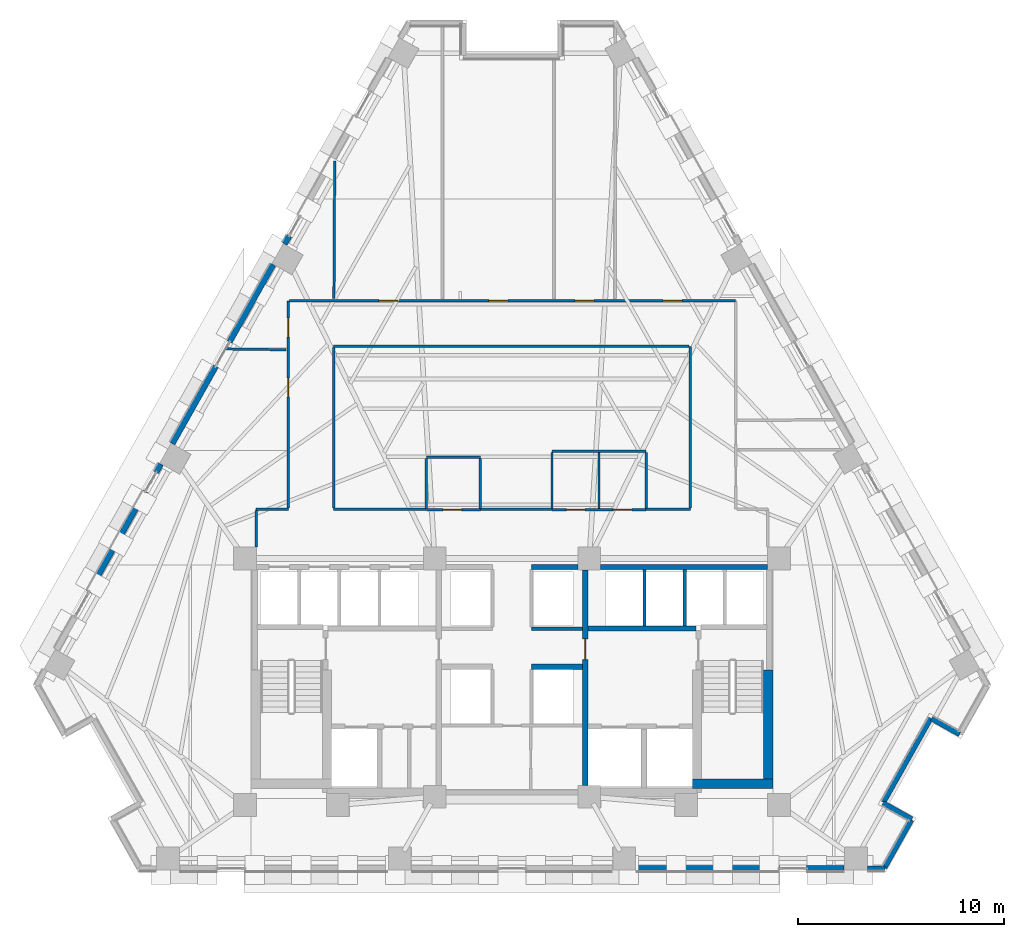
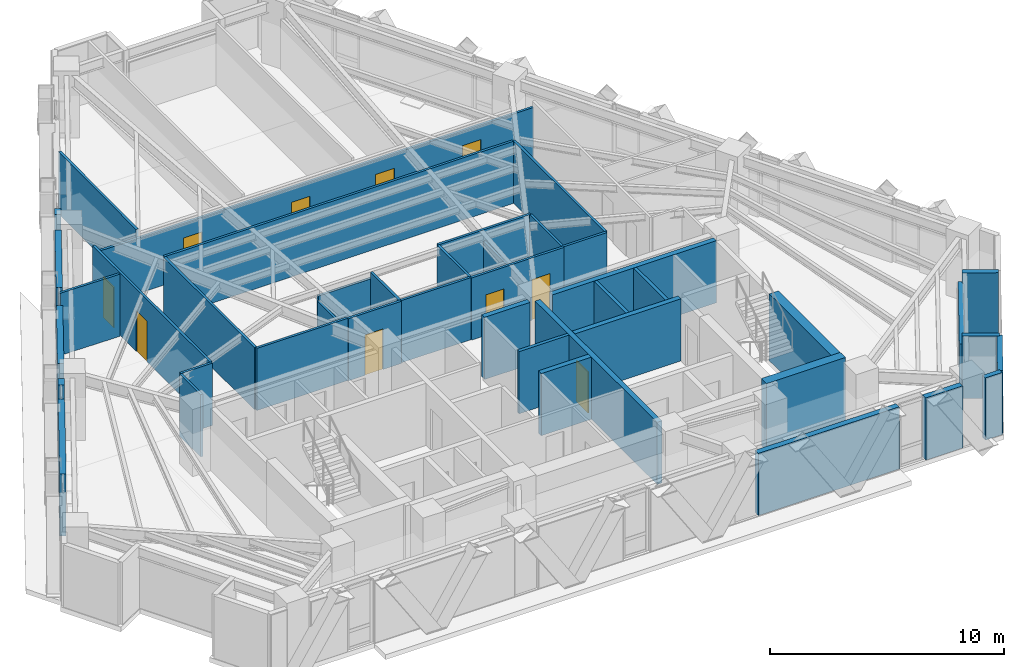
# One storey, part 8 of 13: 43 walls, 10 doors, 10 openings.
"""IFC4 building model written with IfcOpenShell, lengths in metres."""

import ifcopenshell
import ifcopenshell.guid

model = None  # the IFC model being written
_history = None  # IfcOwnerHistory: only IFC2X3 demands one
_inside = {}  # id of a spatial element -> (the spatial element, [elements in it])
_under = {}  # id of a project, library or spatial element -> (it, [spatial elements below it])
_declared = {}  # id of a project -> (the project, [libraries it declares])
_typed = {}  # id of a type object -> (the type object, [elements of that type])
_made_of = {}  # id of a material, layer set ... -> (it, [elements and type objects made of it])


def new_model(schema):
    """Start an empty IFC model of exactly this schema.

    Asked for "IFC4X3", IfcOpenShell would pick the latest addendum, in which some entities
    have other attributes; the version numbers below select the first issue.
    IFC2X3 requires an IfcOwnerHistory on every rooted entity: one is made here for all.
    """
    global model, _history
    if schema == "IFC4X3":
        model = ifcopenshell.file(schema_version=(4, 3, 0, 0))
    else:
        model = ifcopenshell.file(schema=schema)
    _inside.clear()
    _under.clear()
    _declared.clear()
    _typed.clear()
    _made_of.clear()
    _history = None
    if model.schema == "IFC2X3":
        org = make("IfcOrganization", Name="unknown")
        user = make(
            "IfcPersonAndOrganization",
            ThePerson=make("IfcPerson", FamilyName="unknown"),
            TheOrganization=org,
        )
        app = make(
            "IfcApplication",
            ApplicationDeveloper=org,
            Version="unknown",
            ApplicationFullName="unknown",
            ApplicationIdentifier="unknown",
        )
        _history = make(
            "IfcOwnerHistory",
            OwningUser=user,
            OwningApplication=app,
            ChangeAction="ADDED",
            CreationDate=0,
        )
    return model


def make(cls, **values):
    """One entity of the class cls with the attributes given. An attribute that is None is left unset."""
    return model.create_entity(
        cls, **{name: value for name, value in values.items() if value is not None}
    )


def rooted(cls, **values):
    """An entity with a GlobalId (a new one), such as an element, a storey or a relation."""
    return make(cls, GlobalId=ifcopenshell.guid.new(), OwnerHistory=_history, **values)


def si_unit(unit_type, name, prefix=None):
    """IfcSIUnit, for example si_unit("LENGTHUNIT", "METRE", prefix="MILLI")."""
    return make("IfcSIUnit", UnitType=unit_type, Prefix=prefix, Name=name)


def assignment(units):
    """IfcUnitAssignment: the units of a project."""
    return None if units is None else make("IfcUnitAssignment", Units=units)


def point(xyz):
    """IfcCartesianPoint."""
    return None if xyz is None else make("IfcCartesianPoint", Coordinates=xyz)


def direction(xyz):
    """IfcDirection."""
    return None if xyz is None else make("IfcDirection", DirectionRatios=xyz)


def frame(location, z_axis=None, x_axis=None):
    """IfcAxis2Placement3D, a coordinate frame: its origin and axes. An axis left out is left unset."""
    return make(
        "IfcAxis2Placement3D",
        Location=point(location),
        Axis=direction(z_axis),
        RefDirection=direction(x_axis),
    )


def frame_2d(location, x_axis=None):
    """IfcAxis2Placement2D, a coordinate frame in the plane: its origin and x axis."""
    return make(
        "IfcAxis2Placement2D", Location=point(location), RefDirection=direction(x_axis)
    )


def origin():
    """The frame at (0, 0, 0) with its axes left unset."""
    return frame((0.0, 0.0, 0.0))


def place(relative_to, where):
    """IfcLocalPlacement: puts the frame where relative to a parent placement (None: the world)."""
    return make(
        "IfcLocalPlacement", PlacementRelTo=relative_to, RelativePlacement=where
    )


def context(
    kind, dimensions, precision=None, world=None, true_north=None, identifier=None
):
    """IfcGeometricRepresentationContext, for example the 3D "Model" context."""
    return make(
        "IfcGeometricRepresentationContext",
        ContextIdentifier=identifier,
        ContextType=kind,
        CoordinateSpaceDimension=dimensions,
        Precision=precision,
        WorldCoordinateSystem=world,
        TrueNorth=true_north,
    )


def subcontext(parent, identifier, kind, view, scale=None):
    """IfcGeometricRepresentationSubContext, for example "Body" below "Model"."""
    return make(
        "IfcGeometricRepresentationSubContext",
        ContextIdentifier=identifier,
        ContextType=kind,
        ParentContext=parent,
        TargetScale=scale,
        TargetView=view,
    )


def project(units=None, contexts=None):
    """IfcProject with its units and contexts."""
    return rooted(
        "IfcProject",
        Name="project",
        RepresentationContexts=contexts,
        UnitsInContext=assignment(units),
    )


def spatial(cls, under=None, at=None, **own):
    """A site, building, storey or space (cls), placed at a placement, below another one or the project."""
    s = rooted(cls, ObjectPlacement=at, **own)
    if under is not None:
        _under.setdefault(under.id(), (under, []))[1].append(s)
    return s


def profile(cls, at=None, kind="AREA", **sizes):
    """A parametric profile (cls). Its sizes go by their IFC names, for example OverallWidth=200.0."""
    return make(cls, ProfileType=kind, Position=at, **sizes)


def rectangle(**sizes):
    """IfcRectangleProfileDef."""
    return profile("IfcRectangleProfileDef", **sizes)


def extrude(swept, where, along, depth):
    """IfcExtrudedAreaSolid: the profile swept, set in the frame where, extruded along a direction by depth."""
    return make(
        "IfcExtrudedAreaSolid",
        SweptArea=swept,
        Position=where,
        ExtrudedDirection=direction(along),
        Depth=depth,
    )


def shape(context_of_items, identifier, shape_type, items):
    """IfcShapeRepresentation: the items that make up one representation, for example the "Body"."""
    return make(
        "IfcShapeRepresentation",
        ContextOfItems=context_of_items,
        RepresentationIdentifier=identifier,
        RepresentationType=shape_type,
        Items=items,
    )


def material(Name=None, Category=None):
    """IfcMaterial."""
    return make("IfcMaterial", Name=Name, Category=Category)


def layer(
    of_material, thickness, ventilated=None, Name=None, Category=None, Priority=None
):
    """IfcMaterialLayer: one layer of a wall or slab, of a material (None: an air gap)."""
    return make(
        "IfcMaterialLayer",
        Material=of_material,
        LayerThickness=thickness,
        IsVentilated=ventilated,
        Name=Name,
        Category=Category,
        Priority=Priority,
    )


def layer_set(layers, Name=None):
    """IfcMaterialLayerSet."""
    return make("IfcMaterialLayerSet", MaterialLayers=layers, LayerSetName=Name)


def made_of(thing, what):
    """Note that an element or type object is made of a material, layer set ...; save() writes the relation."""
    if what is not None:
        _made_of.setdefault(what.id(), (what, []))[1].append(thing)
    return thing


def type_object(cls, material=None, **own):
    """A type object (cls), such as IfcWallType, which elements share."""
    return made_of(rooted(cls, **own), material)


def element(
    cls,
    number,
    at=None,
    inside=None,
    cuts=None,
    type_object=None,
    material=None,
    context=None,
    identifier="Body",
    shape_type=None,
    held_by="IfcProductDefinitionShape",
    body=None,
    shapes=None,
    **own,
):
    """One element of the class cls, such as IfcWall. Its Tag is "e" and its number.

    at: its placement. inside: the storey or other place that contains it. cuts: it is an
    opening in that element (IfcRelVoidsElement). A single representation is given by context,
    identifier, shape_type and body (its items); several are given by shapes. held_by: the class
    of the entity that holds the representations. save() writes the other relations.
    """
    e = rooted(cls, Tag="e%d" % number, ObjectPlacement=at, **own)
    if body is not None:
        shapes = [shape(context, identifier, shape_type, body)]
    if shapes is not None:
        e.Representation = make(held_by, Representations=shapes)
    if inside is not None:
        _inside.setdefault(inside.id(), (inside, []))[1].append(e)
    if cuts is not None:
        rooted(
            "IfcRelVoidsElement", RelatingBuildingElement=cuts, RelatedOpeningElement=e
        )
    if type_object is not None:
        _typed.setdefault(type_object.id(), (type_object, []))[1].append(e)
    return made_of(e, material)


def fill(opening, filler):
    """IfcRelFillsElement: the door or window that sits in an opening."""
    return rooted(
        "IfcRelFillsElement",
        RelatingOpeningElement=opening,
        RelatedBuildingElement=filler,
    )


def aggregate(whole, parts):
    """IfcRelAggregates: a whole, such as a stair, and the parts it consists of."""
    return rooted("IfcRelAggregates", RelatingObject=whole, RelatedObjects=parts)


def save(model, path):
    """Write the relations noted so far, then the file.

    IfcRelAggregates (storeys below a building ...), IfcRelContainedInSpatialStructure (elements
    in a storey), IfcRelDefinesByType, IfcRelAssociatesMaterial and IfcRelDeclares: one each for
    every whole, place, type object, material and project.
    """
    for whole, parts in _under.values():
        aggregate(whole, parts)
    for where, things in _inside.values():
        rooted(
            "IfcRelContainedInSpatialStructure",
            RelatedElements=things,
            RelatingStructure=where,
        )
    for kind, things in _typed.values():
        rooted("IfcRelDefinesByType", RelatedObjects=things, RelatingType=kind)
    for what, things in _made_of.values():
        rooted("IfcRelAssociatesMaterial", RelatedObjects=things, RelatingMaterial=what)
    for by, libraries in _declared.values():
        rooted("IfcRelDeclares", RelatingContext=by, RelatedDefinitions=libraries)
    model.write(path)


model = new_model("IFC4")

# Units and contexts
model_context = context("Model", 3, precision=1e-05, world=origin(), true_north=direction((0.0, 1.0)))
body_context = subcontext(model_context, "Body", "Model", "MODEL_VIEW")
ifc_project = project(units=[si_unit("LENGTHUNIT", "METRE"), si_unit("AREAUNIT", "SQUARE_METRE"), si_unit("VOLUMEUNIT", "CUBIC_METRE"), si_unit("PLANEANGLEUNIT", "RADIAN"), si_unit("MASSUNIT", "GRAM", prefix="KILO")], contexts=[model_context])

# Site, building, storey
site_placement = place(None, origin())
site = spatial("IfcSite", under=ifc_project, at=site_placement, CompositionType="ELEMENT")
building_placement = place(site_placement, origin())
building = spatial("IfcBuilding", under=site, at=building_placement, Name="Quenlor Broadcast Tower", CompositionType="ELEMENT")
storey_placement = place(building_placement, frame((0.0, 0.0, 76.60009765625)))
storey = spatial("IfcBuildingStorey", under=building, at=storey_placement, Name="L20", CompositionType="ELEMENT", Elevation=76.60009765625)

# Walls
ifc_material_1 = material(Name="Concrete C50/60", Category="concrete")
ifc_layer_1 = layer(ifc_material_1, 0.449951171875)
ifc_layer_set_1 = layer_set([ifc_layer_1], Name="Core Concrete C50/60 Shear Wall 450")
wall_type_1 = type_object("IfcWallType", Name="Core Concrete C50/60 Shear Wall 450", PredefinedType="SHEAR", material=ifc_layer_set_1)
wall_1_placement = place(storey_placement, frame((8.75, -15.72509765625, 0.0), z_axis=(0.0, 0.0, 1.0), x_axis=(1.0, 0.0, 0.0)))
element("IfcWall", 1, at=wall_1_placement, inside=storey, type_object=wall_type_1, Name="L20 Core Shear Wall WS-E2", PredefinedType="SHEAR", context=body_context, shape_type="SweptSolid", body=[
    extrude(rectangle(XDim=3.89990234375, YDim=0.449951171875, at=frame_2d((1.949951171875, 0.0))), origin(), (0.0, 0.0, 1.0), 3.5),
])
wall_2_placement = place(storey_placement, frame((12.425048828125, -15.72509765625, 0.0), z_axis=(0.0, 0.0, 1.0), x_axis=(0.0, 1.0, 0.0)))
element("IfcWall", 2, at=wall_2_placement, inside=storey, type_object=wall_type_1, Name="L20 Core Shear Wall WF-E", PredefinedType="SHEAR", context=body_context, shape_type="SweptSolid", body=[
    extrude(rectangle(XDim=5.525146484375, YDim=0.449951171875, at=frame_2d((2.7626953125, 0.0))), origin(), (0.0, 0.0, 1.0), 3.5),
])
ifc_material_2 = material(Name="Concrete C40/50", Category="concrete")
ifc_layer_2 = layer(ifc_material_2, 0.25)
ifc_layer_set_2 = layer_set([ifc_layer_2], Name="Fire Rated Concrete C40/50 Core Wall 250")
wall_type_2 = type_object("IfcWallType", Name="Fire Rated Concrete C40/50 Core Wall 250", PredefinedType="PARTITIONING", material=ifc_layer_set_2)
wall_3_placement = place(storey_placement, frame((3.679931640625, -8.199951171875, 0.0), z_axis=(0.0, 0.0, 1.0), x_axis=(1.0, 0.0, 0.0)))
element("IfcWall", 3, at=wall_3_placement, inside=storey, type_object=wall_type_2, Name="L20 Interior Wall CW-FFE-N", PredefinedType="PARTITIONING", context=body_context, shape_type="SweptSolid", body=[
    extrude(rectangle(XDim=5.239990234375, YDim=0.25, at=frame_2d((2.6201171875, 0.0))), origin(), (0.0, 0.0, 1.0), 3.25),
])

# Wall, opening, door
wall_4_placement = place(storey_placement, frame((3.550048828125, -15.798095703125, 0.0), z_axis=(0.0, 0.0, 1.0), x_axis=(0.0, 1.0, 0.0)))
wall_4 = element("IfcWall", 4, at=wall_4_placement, inside=storey, type_object=wall_type_2, Name="L20 Interior Wall CW-FFE-W", PredefinedType="PARTITIONING", context=body_context, shape_type="SweptSolid", body=[
    extrude(rectangle(XDim=10.446044921875, YDim=0.25, at=frame_2d((5.22314453125, 0.0))), origin(), (0.0, 0.0, 1.0), 3.25),
])
opening_1_placement = place(wall_4_placement, frame((6.097900390625, 0.0, 0.0)))
opening_1 = element("IfcOpeningElement", 5, at=opening_1_placement, cuts=wall_4, Name="Opening FD-2", PredefinedType="OPENING", context=body_context, shape_type="SweptSolid", body=[
    extrude(rectangle(XDim=1.0, YDim=2.14990234375, at=frame_2d((0.5, 1.074951171875))), frame((0.0, 0.135009765625, 0.0), z_axis=(0.0, -1.0, 0.0), x_axis=(1.0, 0.0, 0.0)), (0.0, 0.0, 1.0), 0.27001953125),
])
ifc_material_3 = material(Name="Fire Rated Glazed Steel Door", Category="steel")
door_type_1 = type_object("IfcDoorType", Name="Firefighting Lobby Smoke Door 1000x2150", OperationType="NOTDEFINED", PredefinedType="DOOR", material=ifc_material_3)
door_1_placement = place(opening_1_placement, origin())
door_1 = element("IfcDoor", 6, at=door_1_placement, inside=storey, type_object=door_type_1, Name="L20 Door DR-FFLE", OperationType="SINGLE_SWING_LEFT", OverallHeight=2.14990234375, OverallWidth=1.0, PredefinedType="DOOR", context=body_context, shape_type="SweptSolid", body=[
    extrude(rectangle(XDim=1.0, YDim=2.14990234375, at=frame_2d((0.5, 1.074951171875))), frame((0.0, 0.02490234375, 0.0), z_axis=(0.0, -1.0, 0.0), x_axis=(1.0, 0.0, 0.0)), (0.0, 0.0, 1.0), 0.050048828125),
])
fill(opening_1, door_1)

# Walls
wall_5_placement = place(storey_placement, frame((4.302001953125, -5.199951171875, 0.0), z_axis=(0.0, 0.0, 1.0), x_axis=(1.0, 0.0, 0.0)))
element("IfcWall", 7, at=wall_5_placement, inside=storey, type_object=wall_type_2, Name="L20 Interior Wall CW-N-E", PredefinedType="PARTITIONING", context=body_context, shape_type="SweptSolid", body=[
    extrude(rectangle(XDim=8.095947265625, YDim=0.25, at=frame_2d((4.0478515625, 0.0))), origin(), (0.0, 0.0, 1.0), 3.25),
])
wall_6_placement = place(storey_placement, frame((0.949951171875, -5.199951171875, 0.0), z_axis=(0.0, 0.0, 1.0), x_axis=(1.0, 0.0, 0.0)))
element("IfcWall", 8, at=wall_6_placement, inside=storey, type_object=wall_type_2, Name="L20 Interior Wall CW-N-M2", PredefinedType="PARTITIONING", context=body_context, shape_type="SweptSolid", body=[
    extrude(rectangle(XDim=2.248046875, YDim=0.25, at=frame_2d((1.1240234375, 0.0))), origin(), (0.0, 0.0, 1.0), 3.25),
])
wall_7_placement = place(storey_placement, frame((0.949951171875, -10.050048828125, 0.0), z_axis=(0.0, 0.0, 1.0), x_axis=(1.0, 0.0, 0.0)))
element("IfcWall", 9, at=wall_7_placement, inside=storey, type_object=wall_type_2, Name="L20 Interior Wall CW-MS-N2", PredefinedType="PARTITIONING", context=body_context, shape_type="SweptSolid", body=[
    extrude(rectangle(XDim=2.469970703125, YDim=0.25, at=frame_2d((1.23486328125, 0.0))), origin(), (0.0, 0.0, 1.0), 3.25),
])
ifc_material_4 = material(Name="Gypsum Fireboard Partition", Category="other")
ifc_layer_3 = layer(ifc_material_4, 0.159912109375)
ifc_layer_set_3 = layer_set([ifc_layer_3], Name="Fire Rated Shaft and Corridor Partition 160")
wall_type_3 = type_object("IfcWallType", Name="Fire Rated Shaft and Corridor Partition 160", PredefinedType="PARTITIONING", material=ifc_layer_set_3)
for number, where, z_axis, x_axis, name in (
    (10, (6.425048828125, -8.072998046875, 0.0), (0.0, 0.0, 1.0), (0.0, 1.0, 0.0), "L20 Interior Wall CW-PLH-D1"),
    (11, (8.375, -8.072998046875, 0.0), (0.0, 0.0, 1.0), (0.0, 1.0, 0.0), "L20 Interior Wall CW-PLH-D2"),
):
    element("IfcWall", number, at=place(storey_placement, frame(where, z_axis=z_axis, x_axis=x_axis)), inside=storey, type_object=wall_type_3, Name=name, PredefinedType="PARTITIONING", context=body_context, shape_type="SweptSolid", body=[
        extrude(rectangle(XDim=2.73291015625, YDim=0.159912109375, at=frame_2d((1.366455078125, 0.0))), origin(), (0.0, 0.0, 1.0), 3.25),
    ])
wall_8_placement = place(storey_placement, frame((0.949951171875, -8.199951171875, 0.0), z_axis=(0.0, 0.0, 1.0), x_axis=(1.0, 0.0, 0.0)))
element("IfcWall", 12, at=wall_8_placement, inside=storey, type_object=wall_type_3, Name="L20 Interior Wall CW-M-BACK2", PredefinedType="PARTITIONING", context=body_context, shape_type="SweptSolid", body=[
    extrude(rectangle(XDim=2.469970703125, YDim=0.159912109375, at=frame_2d((1.23486328125, 0.0))), origin(), (0.0, 0.0, 1.0), 3.25),
])

# Wall, opening, door
ifc_material_5 = material(Name="Gypsum Plasterboard Partition", Category="other")
ifc_layer_4 = layer(ifc_material_5, 0.1201171875)
ifc_layer_set_4 = layer_set([ifc_layer_4], Name="Standard Office Partition 120")
wall_type_4 = type_object("IfcWallType", Name="Standard Office Partition 120", PredefinedType="PARTITIONING", material=ifc_layer_set_4)
wall_9_placement = place(storey_placement, frame((-4.159912109375, -2.43994140625, 0.0), z_axis=(0.0, 0.0, 1.0), x_axis=(1.0, 0.0, 0.0)))
wall_9 = element("IfcWall", 13, at=wall_9_placement, inside=storey, type_object=wall_type_4, Name="L20 Interior Wall PW-AWC-S", PredefinedType="PARTITIONING", context=body_context, shape_type="SweptSolid", body=[
    extrude(rectangle(XDim=2.619873046875, YDim=0.1201171875, at=frame_2d((1.31005859375, 0.0))), origin(), (0.0, 0.0, 1.0), 3.25),
])
opening_2_placement = place(wall_9_placement, frame((0.820068359375, 0.0, 0.0)))
opening_2 = element("IfcOpeningElement", 14, at=opening_2_placement, cuts=wall_9, Name="Opening ID-3", PredefinedType="OPENING", context=body_context, shape_type="SweptSolid", body=[
    extrude(rectangle(XDim=0.89990234375, YDim=2.1201171875, at=frame_2d((0.449951171875, 1.06005859375))), frame((0.0, 0.070068359375, 0.0), z_axis=(0.0, -1.0, 0.0), x_axis=(1.0, 0.0, 0.0)), (0.0, 0.0, 1.0), 0.14013671875),
])
ifc_material_6 = material(Name="Moisture Resistant Timber Oak", Category="wood")
door_type_2 = type_object("IfcDoorType", Name="Washroom Privacy Door 900x2120", OperationType="NOTDEFINED", PredefinedType="DOOR", material=ifc_material_6)
door_2_placement = place(opening_2_placement, origin())
door_2 = element("IfcDoor", 15, at=door_2_placement, inside=storey, type_object=door_type_2, Name="L20 Door DR-AWC", OperationType="SINGLE_SWING_LEFT", OverallHeight=2.1201171875, OverallWidth=0.89990234375, PredefinedType="DOOR", context=body_context, shape_type="SweptSolid", body=[
    extrude(rectangle(XDim=0.89990234375, YDim=2.1201171875, at=frame_2d((0.449951171875, 1.06005859375))), frame((0.0, 0.02490234375, 0.0), z_axis=(0.0, -1.0, 0.0), x_axis=(1.0, 0.0, 0.0)), (0.0, 0.0, 1.0), 0.050048828125),
])
fill(opening_2, door_2)

# Walls
wall_10_placement = place(storey_placement, frame((-4.159912109375, 0.110107421875, 0.0), z_axis=(0.0, 0.0, 1.0), x_axis=(1.0, 0.0, 0.0)))
element("IfcWall", 16, at=wall_10_placement, inside=storey, type_object=wall_type_4, Name="L20 Interior Wall PW-AWC-N", PredefinedType="PARTITIONING", context=body_context, shape_type="SweptSolid", body=[
    extrude(rectangle(XDim=2.619873046875, YDim=0.1201171875, at=frame_2d((1.31005859375, 0.0))), origin(), (0.0, 0.0, 1.0), 2.891357421875),
])
wall_11_placement = place(storey_placement, frame((-4.159912109375, -2.3779296875, 0.0), z_axis=(0.0, 0.0, 1.0), x_axis=(0.0, 1.0, 0.0)))
element("IfcWall", 17, at=wall_11_placement, inside=storey, type_object=wall_type_4, Name="L20 Interior Wall PW-AWC-W", PredefinedType="PARTITIONING", context=body_context, shape_type="SweptSolid", body=[
    extrude(rectangle(XDim=2.426025390625, YDim=0.1201171875, at=frame_2d((1.212890625, 0.0))), origin(), (0.0, 0.0, 1.0), 2.64794921875),
])
wall_12_placement = place(storey_placement, frame((-1.5400390625, -2.3779296875, 0.0), z_axis=(0.0, 0.0, 1.0), x_axis=(0.0, 1.0, 0.0)))
element("IfcWall", 18, at=wall_12_placement, inside=storey, type_object=wall_type_4, Name="L20 Interior Wall PW-AWC-E", PredefinedType="PARTITIONING", context=body_context, shape_type="SweptSolid", body=[
    extrude(rectangle(XDim=2.426025390625, YDim=0.1201171875, at=frame_2d((1.212890625, 0.0))), origin(), (0.0, 0.0, 1.0), 3.25),
])

# Wall, openings, doors
wall_13_placement = place(storey_placement, frame((1.93994140625, -2.43994140625, 0.0), z_axis=(0.0, 0.0, 1.0), x_axis=(1.0, 0.0, 0.0)))
wall_13 = element("IfcWall", 19, at=wall_13_placement, inside=storey, type_object=wall_type_4, Name="L20 Interior Wall PW-WC-S", PredefinedType="PARTITIONING", context=body_context, shape_type="SweptSolid", body=[
    extrude(rectangle(XDim=4.570068359375, YDim=0.1201171875, at=frame_2d((2.28515625, 0.0))), origin(), (0.0, 0.0, 1.0), 3.25),
])
opening_3_placement = place(wall_13_placement, frame((0.699951171875, 0.0, 0.0)))
opening_3 = element("IfcOpeningElement", 20, at=opening_3_placement, cuts=wall_13, Name="Opening ID-3", PredefinedType="OPENING", context=body_context, shape_type="SweptSolid", body=[
    extrude(rectangle(XDim=0.89990234375, YDim=2.1201171875, at=frame_2d((0.449951171875, 1.06005859375))), frame((0.0, 0.070068359375, 0.0), z_axis=(0.0, -1.0, 0.0), x_axis=(1.0, 0.0, 0.0)), (0.0, 0.0, 1.0), 0.14013671875),
])
opening_4_placement = place(wall_13_placement, frame((2.97998046875, 0.0, 0.0)))
opening_4 = element("IfcOpeningElement", 21, at=opening_4_placement, cuts=wall_13, Name="Opening ID-3", PredefinedType="OPENING", context=body_context, shape_type="SweptSolid", body=[
    extrude(rectangle(XDim=0.89990234375, YDim=2.1201171875, at=frame_2d((0.449951171875, 1.06005859375))), frame((0.0, 0.070068359375, 0.0), z_axis=(0.0, -1.0, 0.0), x_axis=(1.0, 0.0, 0.0)), (0.0, 0.0, 1.0), 0.14013671875),
])
door_3_placement = place(opening_3_placement, origin())
door_3 = element("IfcDoor", 22, at=door_3_placement, inside=storey, type_object=door_type_2, Name="L20 Door DR-MWC", OperationType="SINGLE_SWING_LEFT", OverallHeight=2.1201171875, OverallWidth=0.89990234375, PredefinedType="DOOR", context=body_context, shape_type="SweptSolid", body=[
    extrude(rectangle(XDim=0.89990234375, YDim=2.1201171875, at=frame_2d((0.449951171875, 1.06005859375))), frame((0.0, 0.02490234375, 0.0), z_axis=(0.0, -1.0, 0.0), x_axis=(1.0, 0.0, 0.0)), (0.0, 0.0, 1.0), 0.050048828125),
])
fill(opening_3, door_3)
door_4_placement = place(opening_4_placement, origin())
door_4 = element("IfcDoor", 23, at=door_4_placement, inside=storey, type_object=door_type_2, Name="L20 Door DR-FWC", OperationType="SINGLE_SWING_RIGHT", OverallHeight=2.1201171875, OverallWidth=0.89990234375, PredefinedType="DOOR", context=body_context, shape_type="SweptSolid", body=[
    extrude(rectangle(XDim=0.89990234375, YDim=2.1201171875, at=frame_2d((0.449951171875, 1.06005859375))), frame((0.0, 0.02490234375, 0.0), z_axis=(0.0, -1.0, 0.0), x_axis=(1.0, 0.0, 0.0)), (0.0, 0.0, 1.0), 0.050048828125),
])
fill(opening_4, door_4)

# Walls
wall_14_placement = place(storey_placement, frame((1.93994140625, 0.409912109375, 0.0), z_axis=(0.0, 0.0, 1.0), x_axis=(1.0, 0.0, 0.0)))
element("IfcWall", 24, at=wall_14_placement, inside=storey, type_object=wall_type_4, Name="L20 Interior Wall PW-WC-N", PredefinedType="PARTITIONING", context=body_context, shape_type="SweptSolid", body=[
    extrude(rectangle(XDim=4.570068359375, YDim=0.1201171875, at=frame_2d((2.28515625, 0.0))), origin(), (0.0, 0.0, 1.0), 3.25),
])
wall_15_placement = place(storey_placement, frame((1.93994140625, -2.3779296875, 0.0), z_axis=(0.0, 0.0, 1.0), x_axis=(0.0, 1.0, 0.0)))
element("IfcWall", 25, at=wall_15_placement, inside=storey, type_object=wall_type_4, Name="L20 Interior Wall PW-WC-W", PredefinedType="PARTITIONING", context=body_context, shape_type="SweptSolid", body=[
    extrude(rectangle(XDim=2.725830078125, YDim=0.1201171875, at=frame_2d((1.36279296875, 0.0))), origin(), (0.0, 0.0, 1.0), 3.25),
])
wall_16_placement = place(storey_placement, frame((4.219970703125, -2.3779296875, 0.0), z_axis=(0.0, 0.0, 1.0), x_axis=(0.0, 1.0, 0.0)))
element("IfcWall", 26, at=wall_16_placement, inside=storey, type_object=wall_type_4, Name="L20 Interior Wall PW-WC-M", PredefinedType="PARTITIONING", context=body_context, shape_type="SweptSolid", body=[
    extrude(rectangle(XDim=2.725830078125, YDim=0.1201171875, at=frame_2d((1.36279296875, 0.0))), origin(), (0.0, 0.0, 1.0), 2.64794921875),
])
wall_17_placement = place(storey_placement, frame((6.510009765625, -2.3779296875, 0.0), z_axis=(0.0, 0.0, 1.0), x_axis=(0.0, 1.0, 0.0)))
element("IfcWall", 27, at=wall_17_placement, inside=storey, type_object=wall_type_4, Name="L20 Interior Wall PW-WC-E", PredefinedType="PARTITIONING", context=body_context, shape_type="SweptSolid", body=[
    extrude(rectangle(XDim=2.725830078125, YDim=0.1201171875, at=frame_2d((1.36279296875, 0.0))), origin(), (0.0, 0.0, 1.0), 3.25),
])
wall_18_placement = place(storey_placement, frame((-12.409912109375, -2.39990234375, 0.0), z_axis=(0.0, 0.0, 1.0), x_axis=(1.0, 0.0, 0.0)))
element("IfcWall", 28, at=wall_18_placement, inside=storey, type_object=wall_type_4, Name="L20 Interior Wall PW-CR-01", PredefinedType="PARTITIONING", context=body_context, shape_type="SweptSolid", body=[
    extrude(rectangle(XDim=1.559814453125, YDim=0.1201171875, at=frame_2d((0.77978515625, 0.0))), origin(), (0.0, 0.0, 1.0), 3.25),
])

# Wall, openings, doors
wall_19_placement = place(storey_placement, frame((-10.85009765625, -2.337890625, 0.0), z_axis=(0.0, 0.0, 1.0), x_axis=(0.0, 1.0, 0.0)))
wall_19 = element("IfcWall", 29, at=wall_19_placement, inside=storey, type_object=wall_type_4, Name="L20 Interior Wall PW-CR-02", PredefinedType="PARTITIONING", context=body_context, shape_type="SweptSolid", body=[
    extrude(rectangle(XDim=10.037841796875, YDim=0.1201171875, at=frame_2d((5.01904296875, 0.0))), origin(), (0.0, 0.0, 1.0), 3.25),
])
opening_5_placement = place(wall_19_placement, frame((8.283935546875, 0.0, 0.0)))
opening_5 = element("IfcOpeningElement", 30, at=opening_5_placement, cuts=wall_19, Name="Opening ID-1", PredefinedType="OPENING", context=body_context, shape_type="SweptSolid", body=[
    extrude(rectangle(XDim=0.919921875, YDim=2.1201171875, at=frame_2d((0.4599609375, 1.06005859375))), frame((0.0, 0.070068359375, 0.0), z_axis=(0.0, -1.0, 0.0), x_axis=(1.0, 0.0, 0.0)), (0.0, 0.0, 1.0), 0.14013671875),
])
opening_6_placement = place(wall_19_placement, frame((5.3779296875, 0.0, 0.0)))
opening_6 = element("IfcOpeningElement", 31, at=opening_6_placement, cuts=wall_19, Name="Opening ID-1", PredefinedType="OPENING", context=body_context, shape_type="SweptSolid", body=[
    extrude(rectangle(XDim=0.919921875, YDim=2.1201171875, at=frame_2d((0.4599609375, 1.06005859375))), frame((0.0, 0.070068359375, 0.0), z_axis=(0.0, -1.0, 0.0), x_axis=(1.0, 0.0, 0.0)), (0.0, 0.0, 1.0), 0.14013671875),
])
ifc_material_7 = material(Name="Solid Core Timber Oak", Category="wood")
door_type_3 = type_object("IfcDoorType", Name="Single Leaf Timber Office Door 920x2120", OperationType="NOTDEFINED", PredefinedType="DOOR", material=ifc_material_7)
door_5_placement = place(opening_5_placement, origin())
door_5 = element("IfcDoor", 32, at=door_5_placement, inside=storey, type_object=door_type_3, Name="L20 Door DR-RM05", OperationType="SINGLE_SWING_RIGHT", OverallHeight=2.1201171875, OverallWidth=0.919921875, PredefinedType="DOOR", context=body_context, shape_type="SweptSolid", body=[
    extrude(rectangle(XDim=0.919921875, YDim=2.1201171875, at=frame_2d((0.4599609375, 1.06005859375))), frame((0.0, 0.02490234375, 0.0), z_axis=(0.0, -1.0, 0.0), x_axis=(1.0, 0.0, 0.0)), (0.0, 0.0, 1.0), 0.050048828125),
])
fill(opening_5, door_5)
door_6_placement = place(opening_6_placement, origin())
door_6 = element("IfcDoor", 33, at=door_6_placement, inside=storey, type_object=door_type_3, Name="L20 Door DR-RM06", OperationType="SINGLE_SWING_LEFT", OverallHeight=2.1201171875, OverallWidth=0.919921875, PredefinedType="DOOR", context=body_context, shape_type="SweptSolid", body=[
    extrude(rectangle(XDim=0.919921875, YDim=2.1201171875, at=frame_2d((0.4599609375, 1.06005859375))), frame((0.0, 0.02490234375, 0.0), z_axis=(0.0, -1.0, 0.0), x_axis=(1.0, 0.0, 0.0)), (0.0, 0.0, 1.0), 0.050048828125),
])
fill(opening_6, door_6)

wall_20_placement = place(storey_placement, frame((-10.7880859375, 7.699951171875, 0.0), z_axis=(0.0, 0.0, 1.0), x_axis=(1.0, 0.0, 0.0)))
wall_20 = element("IfcWall", 34, at=wall_20_placement, inside=storey, type_object=wall_type_4, Name="L20 Interior Wall PW-CR-03", PredefinedType="PARTITIONING", context=body_context, shape_type="SweptSolid", body=[
    extrude(rectangle(XDim=21.63818359375, YDim=0.1201171875, at=frame_2d((10.819091796875, 0.0))), origin(), (0.0, 0.0, 1.0), 2.891357421875),
])
opening_7_placement = place(wall_20_placement, frame((13.840087890625, 0.0, 0.0)))
opening_7 = element("IfcOpeningElement", 35, at=opening_7_placement, cuts=wall_20, Name="Opening ID-1", PredefinedType="OPENING", context=body_context, shape_type="SweptSolid", body=[
    extrude(rectangle(XDim=0.919921875, YDim=2.1201171875, at=frame_2d((0.4599609375, 1.06005859375))), frame((0.0, 0.070068359375, 0.0), z_axis=(0.0, -1.0, 0.0), x_axis=(1.0, 0.0, 0.0)), (0.0, 0.0, 1.0), 0.14013671875),
])
opening_8_placement = place(wall_20_placement, frame((9.6650390625, 0.0, 0.0)))
opening_8 = element("IfcOpeningElement", 36, at=opening_8_placement, cuts=wall_20, Name="Opening ID-1", PredefinedType="OPENING", context=body_context, shape_type="SweptSolid", body=[
    extrude(rectangle(XDim=0.919921875, YDim=2.1201171875, at=frame_2d((0.4599609375, 1.06005859375))), frame((0.0, 0.070068359375, 0.0), z_axis=(0.0, -1.0, 0.0), x_axis=(1.0, 0.0, 0.0)), (0.0, 0.0, 1.0), 0.14013671875),
])
opening_9_placement = place(wall_20_placement, frame((4.3330078125, 0.0, 0.0)))
opening_9 = element("IfcOpeningElement", 37, at=opening_9_placement, cuts=wall_20, Name="Opening ID-1", PredefinedType="OPENING", context=body_context, shape_type="SweptSolid", body=[
    extrude(rectangle(XDim=0.919921875, YDim=2.1201171875, at=frame_2d((0.4599609375, 1.06005859375))), frame((0.0, 0.070068359375, 0.0), z_axis=(0.0, -1.0, 0.0), x_axis=(1.0, 0.0, 0.0)), (0.0, 0.0, 1.0), 0.14013671875),
])
opening_10_placement = place(wall_20_placement, frame((18.1240234375, 0.0, 0.0)))
opening_10 = element("IfcOpeningElement", 38, at=opening_10_placement, cuts=wall_20, Name="Opening ID-1", PredefinedType="OPENING", context=body_context, shape_type="SweptSolid", body=[
    extrude(rectangle(XDim=0.919921875, YDim=2.1201171875, at=frame_2d((0.4599609375, 1.06005859375))), frame((0.0, 0.070068359375, 0.0), z_axis=(0.0, -1.0, 0.0), x_axis=(1.0, 0.0, 0.0)), (0.0, 0.0, 1.0), 0.14013671875),
])
door_7_placement = place(opening_7_placement, origin())
door_7 = element("IfcDoor", 39, at=door_7_placement, inside=storey, type_object=door_type_3, Name="L20 Door DR-RM01", OperationType="SINGLE_SWING_RIGHT", OverallHeight=2.1201171875, OverallWidth=0.919921875, PredefinedType="DOOR", context=body_context, shape_type="SweptSolid", body=[
    extrude(rectangle(XDim=0.919921875, YDim=2.1201171875, at=frame_2d((0.4599609375, 1.06005859375))), frame((0.0, 0.02490234375, 0.0), z_axis=(0.0, -1.0, 0.0), x_axis=(1.0, 0.0, 0.0)), (0.0, 0.0, 1.0), 0.050048828125),
])
fill(opening_7, door_7)
door_8_placement = place(opening_8_placement, origin())
door_8 = element("IfcDoor", 40, at=door_8_placement, inside=storey, type_object=door_type_3, Name="L20 Door DR-RM02", OperationType="SINGLE_SWING_LEFT", OverallHeight=2.1201171875, OverallWidth=0.919921875, PredefinedType="DOOR", context=body_context, shape_type="SweptSolid", body=[
    extrude(rectangle(XDim=0.919921875, YDim=2.1201171875, at=frame_2d((0.4599609375, 1.06005859375))), frame((0.0, 0.02490234375, 0.0), z_axis=(0.0, -1.0, 0.0), x_axis=(1.0, 0.0, 0.0)), (0.0, 0.0, 1.0), 0.050048828125),
])
fill(opening_8, door_8)
door_9_placement = place(opening_9_placement, origin())
door_9 = element("IfcDoor", 41, at=door_9_placement, inside=storey, type_object=door_type_3, Name="L20 Door DR-RM03", OperationType="SINGLE_SWING_RIGHT", OverallHeight=2.1201171875, OverallWidth=0.919921875, PredefinedType="DOOR", context=body_context, shape_type="SweptSolid", body=[
    extrude(rectangle(XDim=0.919921875, YDim=2.1201171875, at=frame_2d((0.4599609375, 1.06005859375))), frame((0.0, 0.02490234375, 0.0), z_axis=(0.0, -1.0, 0.0), x_axis=(1.0, 0.0, 0.0)), (0.0, 0.0, 1.0), 0.050048828125),
])
fill(opening_9, door_9)
door_10_placement = place(opening_10_placement, origin())
door_10 = element("IfcDoor", 42, at=door_10_placement, inside=storey, type_object=door_type_3, Name="L20 Door DR-RM04", OperationType="SINGLE_SWING_LEFT", OverallHeight=2.1201171875, OverallWidth=0.919921875, PredefinedType="DOOR", context=body_context, shape_type="SweptSolid", body=[
    extrude(rectangle(XDim=0.919921875, YDim=2.1201171875, at=frame_2d((0.4599609375, 1.06005859375))), frame((0.0, 0.02490234375, 0.0), z_axis=(0.0, -1.0, 0.0), x_axis=(1.0, 0.0, 0.0)), (0.0, 0.0, 1.0), 0.050048828125),
])
fill(opening_10, door_10)

# Walls
wall_21_placement = place(storey_placement, frame((-12.409912109375, -4.248046875, 0.0), z_axis=(0.0, 0.0, 1.0), x_axis=(0.0, 1.0, 0.0)))
element("IfcWall", 43, at=wall_21_placement, inside=storey, type_object=wall_type_4, Name="L20 Interior Wall PW-CR-07", PredefinedType="PARTITIONING", context=body_context, shape_type="SweptSolid", body=[
    extrude(rectangle(XDim=1.7861328125, YDim=0.1201171875, at=frame_2d((0.89306640625, 0.0))), origin(), (0.0, 0.0, 1.0), 3.25),
])
wall_22_placement = place(storey_placement, frame((-8.64990234375, -2.39990234375, 0.0), z_axis=(0.0, 0.0, 1.0), x_axis=(1.0, 0.0, 0.0)))
element("IfcWall", 44, at=wall_22_placement, inside=storey, type_object=wall_type_4, Name="L20 Interior Wall PW-CR-08", PredefinedType="PARTITIONING", context=body_context, shape_type="SweptSolid", body=[
    extrude(rectangle(XDim=4.48779296875, YDim=0.1201171875, at=frame_2d((2.243896484375, 0.0))), origin(), (0.0, 0.0, 1.0), 3.25),
])
wall_23_placement = place(storey_placement, frame((-1.5380859375, -2.39990234375, 0.0), z_axis=(0.0, 0.0, 1.0), x_axis=(1.0, 0.0, 0.0)))
element("IfcWall", 45, at=wall_23_placement, inside=storey, type_object=wall_type_4, Name="L20 Interior Wall PW-CR-08S2", PredefinedType="PARTITIONING", context=body_context, shape_type="SweptSolid", body=[
    extrude(rectangle(XDim=3.47607421875, YDim=0.1201171875, at=frame_2d((1.738037109375, 0.0))), origin(), (0.0, 0.0, 1.0), 3.25),
])
wall_24_placement = place(storey_placement, frame((6.511962890625, -2.39990234375, 0.0), z_axis=(0.0, 0.0, 1.0), x_axis=(1.0, 0.0, 0.0)))
element("IfcWall", 46, at=wall_24_placement, inside=storey, type_object=wall_type_4, Name="L20 Interior Wall PW-CR-08S3", PredefinedType="PARTITIONING", context=body_context, shape_type="SweptSolid", body=[
    extrude(rectangle(XDim=2.137939453125, YDim=0.1201171875, at=frame_2d((1.06884765625, 0.0))), origin(), (0.0, 0.0, 1.0), 3.25),
])
wall_25_placement = place(storey_placement, frame((8.64990234375, -2.337890625, 0.0), z_axis=(0.0, 0.0, 1.0), x_axis=(0.0, 1.0, 0.0)))
element("IfcWall", 47, at=wall_25_placement, inside=storey, type_object=wall_type_4, Name="L20 Interior Wall PW-CR-09", PredefinedType="PARTITIONING", context=body_context, shape_type="SweptSolid", body=[
    extrude(rectangle(XDim=7.837890625, YDim=0.1201171875, at=frame_2d((3.9189453125, 0.0))), origin(), (0.0, 0.0, 1.0), 3.25),
])
wall_26_placement = place(storey_placement, frame((8.587890625, 5.5, 0.0), z_axis=(0.0, 0.0, 1.0), x_axis=(-1.0, 0.0, 0.0)))
element("IfcWall", 48, at=wall_26_placement, inside=storey, type_object=wall_type_4, Name="L20 Interior Wall PW-CR-10", PredefinedType="PARTITIONING", context=body_context, shape_type="SweptSolid", body=[
    extrude(rectangle(XDim=17.23779296875, YDim=0.1201171875, at=frame_2d((8.618896484375, 0.0))), origin(), (0.0, 0.0, 1.0), 3.25),
])
wall_27_placement = place(storey_placement, frame((-8.64990234375, 5.43798828125, 0.0), z_axis=(0.0, 0.0, 1.0), x_axis=(0.0, -1.0, 0.0)))
element("IfcWall", 49, at=wall_27_placement, inside=storey, type_object=wall_type_4, Name="L20 Interior Wall PW-CR-11", PredefinedType="PARTITIONING", context=body_context, shape_type="SweptSolid", body=[
    extrude(rectangle(XDim=7.77587890625, YDim=0.1201171875, at=frame_2d((3.887939453125, 0.0))), origin(), (0.0, 0.0, 1.0), 3.25),
])
wall_28_placement = place(storey_placement, frame((-8.63916015625, 7.81005859375, 0.0), z_axis=(0.0, 0.0, 1.0), x_axis=(0.005770750179, 0.999983349083, 0.0)))
element("IfcWall", 50, at=wall_28_placement, inside=storey, type_object=wall_type_4, Name="L20 Interior Wall PW-DV-04", PredefinedType="PARTITIONING", context=body_context, shape_type="SweptSolid", body=[
    extrude(rectangle(XDim=6.684326171875, YDim=0.1201171875, at=frame_2d((3.34228515625, 0.0))), origin(), (0.0, 0.0, 1.0), 3.25),
])
wall_29_placement = place(storey_placement, frame((-10.9599609375, 5.332275390625, 0.0), z_axis=(0.0, 0.0, 1.0), x_axis=(-0.999910751529, 0.013359976638, 0.0)))
element("IfcWall", 51, at=wall_29_placement, inside=storey, type_object=wall_type_4, Name="L20 Interior Wall PW-DV-06", PredefinedType="PARTITIONING", context=body_context, shape_type="SweptSolid", body=[
    extrude(rectangle(XDim=2.923828125, YDim=0.1201171875, at=frame_2d((1.4619140625, 0.0))), origin(), (0.0, 0.0, 1.0), 3.25),
])
ifc_material_8 = material(Name="Precast concrete C40/50", Category="concrete")
ifc_layer_5 = layer(ifc_material_8, 0.239990234375)
ifc_layer_set_5 = layer_set([ifc_layer_5], Name="Terrace Threshold Precast Concrete C40/50 Wall 240")
wall_type_5 = type_object("IfcWallType", Name="Terrace Threshold Precast Concrete C40/50 Wall 240", PredefinedType="STANDARD", material=ifc_layer_set_5)
wall_30_placement = place(storey_placement, frame((18.083984375, -19.840087890625, 0.0), z_axis=(0.0, 0.0, 1.0), x_axis=(-1.0, 0.0, 0.0)))
element("IfcWall", 52, at=wall_30_placement, inside=storey, type_object=wall_type_5, Name="L20 Exterior Wall L20-SHD-SS0", PredefinedType="STANDARD", context=body_context, shape_type="SweptSolid", body=[
    extrude(rectangle(XDim=0.83642578125, YDim=0.239990234375, at=frame_2d((0.418212890625, 0.0))), origin(), (0.0, 0.0, 1.0), 3.25),
])
wall_31_placement = place(storey_placement, frame((19.39892578125, -17.4423828125, 0.0), z_axis=(0.0, 0.0, 1.0), x_axis=(-0.871575537125, 0.490261239633, 0.0)))
element("IfcWall", 53, at=wall_31_placement, inside=storey, type_object=wall_type_5, Name="L20 Exterior Wall L20-CNR-01", PredefinedType="STANDARD", context=body_context, shape_type="SweptSolid", body=[
    extrude(rectangle(XDim=1.60009765625, YDim=0.239990234375, at=frame_2d((0.800048828125, 0.0))), origin(), (0.0, 0.0, 1.0), 3.25),
])
wall_32_placement = place(storey_placement, frame((18.024169921875, -16.623046875, 0.0), z_axis=(0.0, 0.0, 1.0), x_axis=(0.490273623647, 0.871568571001, 0.0)))
element("IfcWall", 54, at=wall_32_placement, inside=storey, type_object=wall_type_5, Name="L20 Exterior Wall L20-CNR-02", PredefinedType="STANDARD", context=body_context, shape_type="SweptSolid", body=[
    extrude(rectangle(XDim=4.679931640625, YDim=0.239990234375, at=frame_2d((2.33984375, 0.0))), origin(), (0.0, 0.0, 1.0), 2.7216796875),
])
wall_33_placement = place(storey_placement, frame((20.353515625, -12.563720703125, 0.0), z_axis=(0.0, 0.0, 1.0), x_axis=(0.871546278971, -0.490313250496, 0.0)))
element("IfcWall", 55, at=wall_33_placement, inside=storey, type_object=wall_type_5, Name="L20 Exterior Wall L20-CNR-03", PredefinedType="STANDARD", context=body_context, shape_type="SweptSolid", body=[
    extrude(rectangle(XDim=1.56005859375, YDim=0.239990234375, at=frame_2d((0.780029296875, 0.0))), origin(), (0.0, 0.0, 1.0), 3.25),
])
wall_34_placement = place(storey_placement, frame((18.074951171875, -19.79638671875, 0.0), z_axis=(0.0, 0.0, 1.0), x_axis=(0.490248170584, 0.871582888335, 0.0)))
element("IfcWall", 56, at=wall_34_placement, inside=storey, type_object=wall_type_5, Name="L20 Exterior Wall L20-CNR-18", PredefinedType="STANDARD", context=body_context, shape_type="SweptSolid", body=[
    extrude(rectangle(XDim=2.660888671875, YDim=0.239990234375, at=frame_2d((1.33056640625, 0.0))), origin(), (0.0, 0.0, 1.0), 3.25),
])
ifc_material_9 = material(Name="Precast concrete C40/50", Category="concrete")
ifc_layer_6 = layer(ifc_material_9, 0.280029296875)
ifc_layer_set_6 = layer_set([ifc_layer_6], Name="Terracotta Precast Concrete C40/50 Facade Wall 280")
wall_type_6 = type_object("IfcWallType", Name="Terracotta Precast Concrete C40/50 Facade Wall 280", PredefinedType="STANDARD", material=ifc_layer_set_6)
wall_35_placement = place(storey_placement, frame((16.117431640625, -19.840087890625, 0.0), z_axis=(0.0, 0.0, 1.0), x_axis=(-1.0, 0.0, 0.0)))
element("IfcWall", 57, at=wall_35_placement, inside=storey, type_object=wall_type_6, Name="L20 Exterior Wall L20-SA-SP1", PredefinedType="STANDARD", context=body_context, shape_type="SweptSolid", body=[
    extrude(rectangle(XDim=1.82568359375, YDim=0.280029296875, at=frame_2d((0.912841796875, 0.0))), origin(), (0.0, 0.0, 1.0), 3.25),
])
wall_36_placement = place(storey_placement, frame((12.978759765625, -19.840087890625, 0.0), z_axis=(0.0, 0.0, 1.0), x_axis=(-1.0, 0.0, 0.0)))
element("IfcWall", 58, at=wall_36_placement, inside=storey, type_object=wall_type_6, Name="L20 Exterior Wall L20-SA-SP2", PredefinedType="STANDARD", context=body_context, shape_type="SweptSolid", body=[
    extrude(rectangle(XDim=6.96044921875, YDim=0.280029296875, at=frame_2d((3.480224609375, 0.0))), origin(), (0.0, 0.0, 1.0), 3.25),
])
wall_37_placement = place(storey_placement, frame((-20.527099609375, -6.419189453125, 0.0), z_axis=(0.0, 0.0, 1.0), x_axis=(0.490265381388, 0.871573207374, 0.0)))
element("IfcWall", 59, at=wall_37_placement, inside=storey, type_object=wall_type_6, Name="L20 Exterior Wall L20-NWA-SP2", PredefinedType="STANDARD", context=body_context, shape_type="SweptSolid", body=[
    extrude(rectangle(XDim=5.59716796875, YDim=0.280029296875, at=frame_2d((2.798583984375, 0.0))), origin(), (0.0, 0.0, 1.0), 3.25),
])
for number, where, z_axis, x_axis, name in (
    (60, (-17.264404296875, -0.618896484375, 0.0), (0.0, 0.0, 1.0), (0.490009165718, 0.871717280724, 0.0), "L20 Exterior Wall L20-NWA-SP3"),
    (61, (-11.031982421875, 10.461181640625, 0.0), (0.0, 0.0, 1.0), (0.490412424957, 0.871490478116, 0.0), "L20 Exterior Wall L20-NWC-SP1"),
):
    element("IfcWall", number, at=place(storey_placement, frame(where, z_axis=z_axis, x_axis=x_axis)), inside=storey, type_object=wall_type_6, Name=name, PredefinedType="STANDARD", context=body_context, shape_type="SweptSolid", body=[
        extrude(rectangle(XDim=0.4599609375, YDim=0.280029296875, at=frame_2d((0.22998046875, 0.0))), origin(), (0.0, 0.0, 1.0), 3.25),
    ])
for number, where, z_axis, x_axis, name in (
    (62, (-16.477783203125, 0.780029296875, 0.0), (0.0, 0.0, 1.0), (0.490293592365, 0.871557337922, 0.0), "L20 Exterior Wall L20-NW-SP1"),
    (63, (-13.701171875, 5.716064453125, 0.0), (0.0, 0.0, 1.0), (0.490293592365, 0.871557337922, 0.0), "L20 Exterior Wall L20-NW-SP2"),
):
    element("IfcWall", number, at=place(storey_placement, frame(where, z_axis=z_axis, x_axis=x_axis)), inside=storey, type_object=wall_type_6, Name=name, PredefinedType="STANDARD", context=body_context, shape_type="SweptSolid", body=[
        extrude(rectangle(XDim=4.29931640625, YDim=0.280029296875, at=frame_2d((2.149658203125, 0.0))), origin(), (0.0, 0.0, 1.0), 3.25),
    ])

save(model, "model.ifc")
